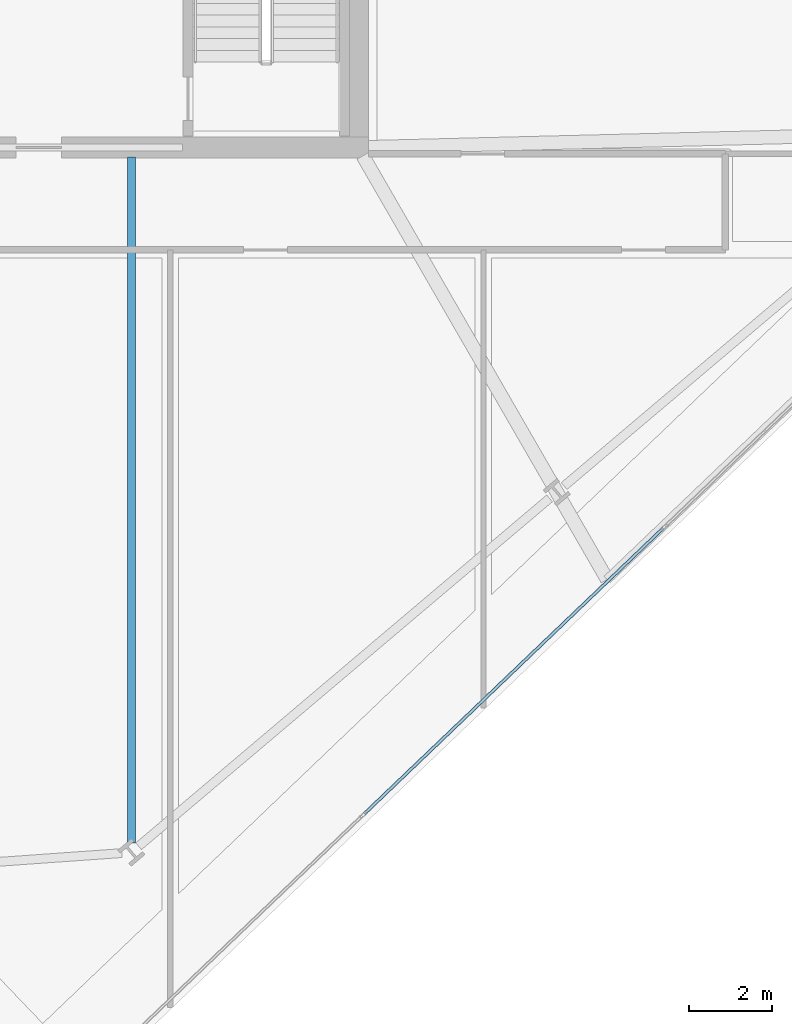
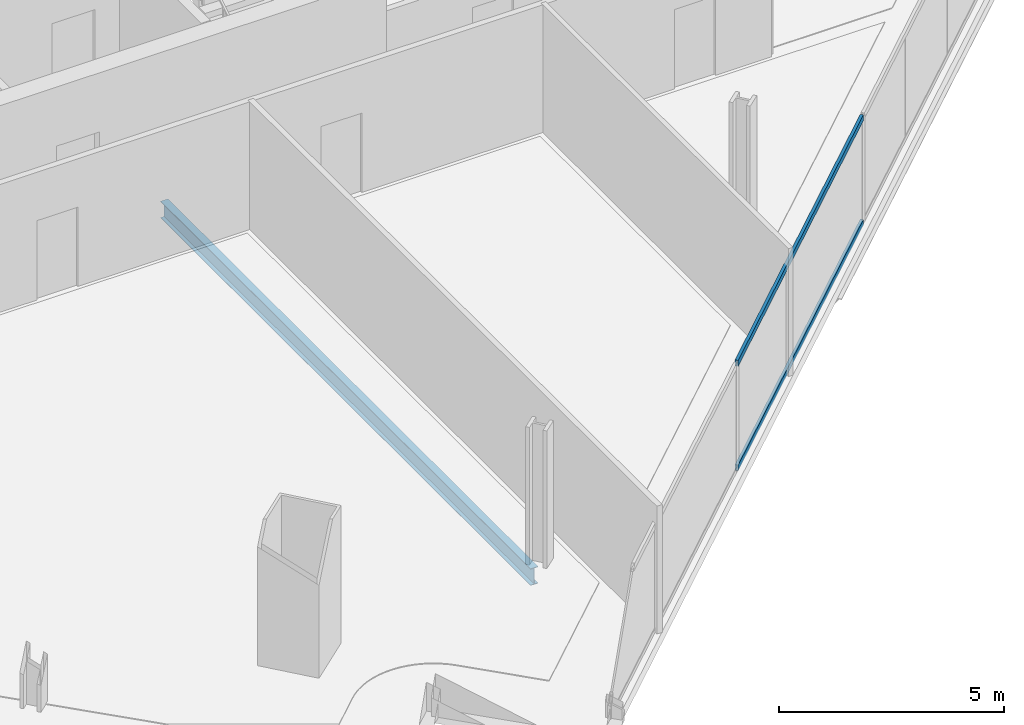
# One storey, part 7 of 33: 2 members, 1 beam, 1 element without a shape of its own.
"""IFC4 building model written with IfcOpenShell, lengths in metres."""

from ifc_helpers import new_model, si_unit, direction, frame, origin, origin_2d, place, context, subcontext, project, spatial, hollow_rectangle, i_section, extrude, material, material_profile, profile_set, type_object, element, aggregate, save


model = new_model("IFC4")

# Units and contexts
model_context = context("Model", 3, precision=1e-05, world=origin(), true_north=direction((0.0, 1.0)))
body_context = subcontext(model_context, "Body", "Model", "MODEL_VIEW")
ifc_project = project(units=[si_unit("LENGTHUNIT", "METRE"), si_unit("AREAUNIT", "SQUARE_METRE"), si_unit("VOLUMEUNIT", "CUBIC_METRE"), si_unit("PLANEANGLEUNIT", "RADIAN"), si_unit("MASSUNIT", "GRAM", prefix="KILO")], contexts=[model_context])

# Site, building, storey
site_placement = place(None, origin())
site = spatial("IfcSite", under=ifc_project, at=site_placement, CompositionType="ELEMENT")
building_placement = place(site_placement, origin())
building = spatial("IfcBuilding", under=site, at=building_placement, Name="Haldenkirk Collegiate Tower", CompositionType="ELEMENT")
storey_placement = place(building_placement, frame((0.0, 0.0, 174.449951171875)))
storey = spatial("IfcBuildingStorey", under=building, at=storey_placement, Name="L43", CompositionType="ELEMENT", Elevation=174.449951171875)

# Beam
ifc_material_1 = material(Name="Steel ASTM A992 Grade 50", Category="steel")
ifc_material_profile_1 = material_profile(ifc_material_1, i_section(OverallWidth=0.18994140625, OverallDepth=0.45703125, WebThickness=0.009033203125, FlangeThickness=0.014404296875, at=origin_2d()), Name="W18X50")
ifc_profile_set_1 = profile_set([ifc_material_profile_1], Name="Steel ASTM A992 Grade 50")
beam_type = type_object("IfcBeamType", Name="BM-JOIST-W18X50", PredefinedType="JOIST", material=ifc_profile_set_1)
beam_placement = place(storey_placement, frame((39.568603515625, 1.342529296875, -0.5185546875), z_axis=(0.0, 1.0, 0.0), x_axis=(-1.0, 0.0, 0.0)))
element("IfcBeam", 1, at=beam_placement, inside=storey, type_object=beam_type, Name="L43 composite floor joist 05", PredefinedType="JOIST", context=body_context, shape_type="SweptSolid", body=[
    extrude(i_section(OverallWidth=0.18994140625, OverallDepth=0.45703125, WebThickness=0.009033203125, FlangeThickness=0.014404296875, at=origin_2d()), origin(), (0.0, 0.0, 1.0), 16.427490234375),
])

# Curtain wall, members
ifc_material_2 = material(Name="Anodised architectural bronze aluminium", Category="aluminium")
curtain_wall_type = type_object("IfcCurtainWallType", Name="CW-SYS2-CONCAVE", PredefinedType="USERDEFINED", material=ifc_material_2)
curtain_wall_placement = place(storey_placement, origin())
curtain_wall = element("IfcCurtainWall", 2, at=curtain_wall_placement, inside=storey, type_object=curtain_wall_type, Name="L43 South concave recessed bronze-anodised curtain wall", ObjectType="UNITISED CURTAIN WALL", PredefinedType="USERDEFINED")
ifc_material_profile_2 = material_profile(ifc_material_2, hollow_rectangle(XDim=0.074951171875, YDim=0.159912109375, WallThickness=0.0048828125, at=origin_2d()), Name="CW-TRN-02")
ifc_profile_set_2 = profile_set([ifc_material_profile_2], Name="Anodised architectural bronze aluminium")
member_type = type_object("IfcMemberType", Name="CW-TRN-02", PredefinedType="USERDEFINED", material=ifc_profile_set_2)
member_1_placement = place(storey_placement, frame((52.308837890625, 8.87939453125, 0.03759765625), z_axis=(-0.722978647134, -0.690870375532, 0.0), x_axis=(0.690870375532, -0.722978647134, 0.0)))
member_1 = element("IfcMember", 3, at=member_1_placement, type_object=member_type, Name="CW-02 transom 3.1", ObjectType="TRANSOM", PredefinedType="USERDEFINED", context=body_context, shape_type="SweptSolid", body=[
    extrude(hollow_rectangle(XDim=0.074951171875, YDim=0.159912109375, WallThickness=0.0048828125, at=origin_2d()), origin(), (0.0, 0.0, 1.0), 9.89990234375),
])
member_2_placement = place(storey_placement, frame((52.308837890625, 8.87939453125, 2.87353515625), z_axis=(-0.722978647134, -0.690870375532, 0.0), x_axis=(0.690870375532, -0.722978647134, 0.0)))
member_2 = element("IfcMember", 4, at=member_2_placement, type_object=member_type, Name="CW-02 transom 3.2", ObjectType="TRANSOM", PredefinedType="USERDEFINED", context=body_context, shape_type="SweptSolid", body=[
    extrude(hollow_rectangle(XDim=0.074951171875, YDim=0.159912109375, WallThickness=0.0048828125, at=origin_2d()), origin(), (0.0, 0.0, 1.0), 9.89990234375),
])
aggregate(curtain_wall, [member_1, member_2])

save(model, "model.ifc")
